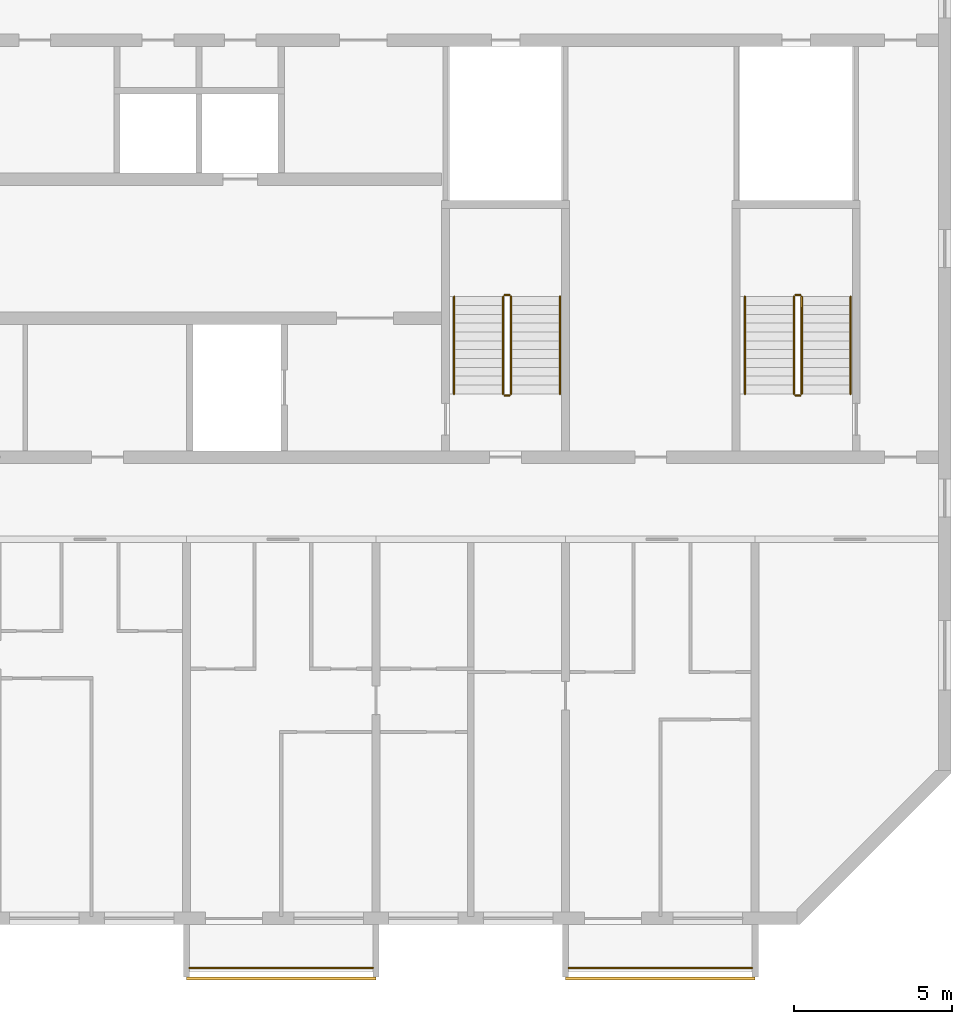
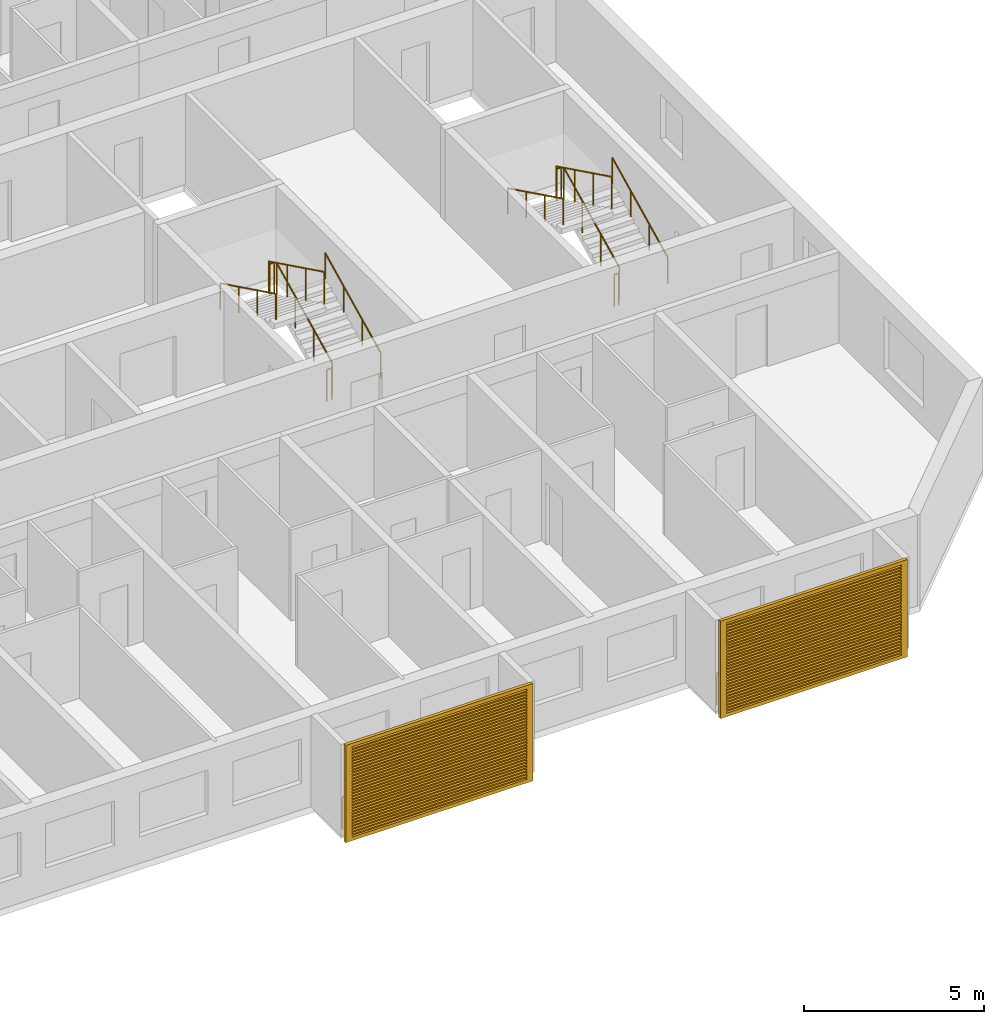
# One storey, part 14 of 28: 14 railings, 2 shading devices.
"""IFC4 building model written with IfcOpenShell, lengths in metres."""

from ifc_helpers import new_model, si_unit, direction, frame, origin, origin_2d, place, context, subcontext, project, spatial, polyline, circle, outline, extrude, source, transform, mapped, material, material_profile, profile_set, type_object, element, save


model = new_model("IFC4")

# Units and contexts
model_context = context("Model", 3, precision=1e-05, world=origin(), true_north=direction((0.0, 1.0)))
body_context = subcontext(model_context, "Body", "Model", "MODEL_VIEW")
ifc_project = project(units=[si_unit("LENGTHUNIT", "METRE"), si_unit("AREAUNIT", "SQUARE_METRE"), si_unit("VOLUMEUNIT", "CUBIC_METRE"), si_unit("PLANEANGLEUNIT", "RADIAN"), si_unit("MASSUNIT", "GRAM", prefix="KILO")], contexts=[model_context])

# Site, building, storey
site_placement = place(None, origin())
site = spatial("IfcSite", under=ifc_project, at=site_placement, CompositionType="ELEMENT")
building_placement = place(site_placement, origin())
building = spatial("IfcBuilding", under=site, at=building_placement, Name="Poui Terraces", CompositionType="ELEMENT")
storey_placement = place(building_placement, frame((0.0, 0.0, 188.39990234375)))
storey = spatial("IfcBuildingStorey", under=building, at=storey_placement, Name="L52", CompositionType="ELEMENT", Elevation=188.39990234375)

# Railings
ifc_material_1 = material(Name="Painted steel fretwork", Category="steel")
railing_type_1 = type_object("IfcRailingType", Name="BALCONY GUARD 1100", PredefinedType="GUARDRAIL", material=ifc_material_1)
for number, where, name in (
    (1, (60.10009765625, -1.570068359375, 0.0), "BALCONY GUARD"),
    (2, (72.10009765625, -1.570068359375, 0.0), "BALCONY GUARD"),
):
    element("IfcRailing", number, at=place(storey_placement, frame(where)), inside=storey, type_object=railing_type_1, Name=name, PredefinedType="GUARDRAIL", context=body_context, shape_type="SweptSolid", body=[
        extrude(circle(Radius=0.02392578125, at=origin_2d()), frame((0.0, 0.0, 1.076171875), z_axis=(1.0, 0.0, 0.0), x_axis=(0.0, 1.0, 0.0)), (0.0, 0.0, 1.0), 5.7998046875),
        extrude(circle(Radius=0.02099609375, at=origin_2d()), origin(), (0.0, 0.0, 1.0), 1.052001953125),
        extrude(circle(Radius=0.02099609375, at=origin_2d()), frame((0.966552734375, 0.0, 0.0)), (0.0, 0.0, 1.0), 1.052001953125),
        extrude(circle(Radius=0.02099609375, at=origin_2d()), frame((1.933349609375, 0.0, 0.0)), (0.0, 0.0, 1.0), 1.052001953125),
        extrude(circle(Radius=0.02099609375, at=origin_2d()), frame((2.89990234375, 0.0, 0.0)), (0.0, 0.0, 1.0), 1.052001953125),
        extrude(circle(Radius=0.02099609375, at=origin_2d()), frame((3.866455078125, 0.0, 0.0)), (0.0, 0.0, 1.0), 1.052001953125),
        extrude(circle(Radius=0.02099609375, at=origin_2d()), frame((4.833251953125, 0.0, 0.0)), (0.0, 0.0, 1.0), 1.052001953125),
        extrude(circle(Radius=0.02099609375, at=origin_2d()), frame((5.7998046875, 0.0, 0.0)), (0.0, 0.0, 1.0), 1.052001953125),
    ])
ifc_material_2 = material(Name="Galvanised steel balustrade", Category="steel")
railing_type_2 = type_object("IfcRailingType", Name="STAIR GUARD 1100", PredefinedType="GUARDRAIL", material=ifc_material_2)
railing_1_placement = place(storey_placement, frame((70.27490234375, 16.60009765625, 0.1376953125)))
element("IfcRailing", 3, at=railing_1_placement, inside=storey, type_object=railing_type_2, Name="L52 ST-CE stair guard 1", PredefinedType="GUARDRAIL", context=body_context, shape_type="SweptSolid", body=[
    extrude(circle(Radius=0.02392578125, at=origin_2d()), frame((0.0, 0.0, 1.076171875), z_axis=(0.0, 0.897606190399, 0.440798283751), x_axis=(-1.0, 0.0, 0.0)), (0.0, 0.0, 1.0), 3.43115234375),
    extrude(circle(Radius=0.02099609375, at=origin_2d()), origin(), (0.0, 0.0, 1.0), 1.052001953125),
    extrude(circle(Radius=0.02099609375, at=origin_2d()), frame((0.0, 1.026611328125, 0.504150390625)), (0.0, 0.0, 1.0), 1.052001953125),
    extrude(circle(Radius=0.02099609375, at=origin_2d()), frame((0.0, 2.05322265625, 1.00830078125)), (0.0, 0.0, 1.0), 1.052001953125),
    extrude(circle(Radius=0.02099609375, at=origin_2d()), frame((0.0, 3.079833984375, 1.512451171875)), (0.0, 0.0, 1.0), 1.052001953125),
])
railing_2_placement = place(storey_placement, frame((70.22509765625, 19.72998046875, 1.650146484375)))
element("IfcRailing", 4, at=railing_2_placement, inside=storey, type_object=railing_type_2, Name="L52 ST-CE stair guard 2", PredefinedType="GUARDRAIL", context=body_context, shape_type="SweptSolid", body=[
    extrude(circle(Radius=0.02392578125, at=origin_2d()), frame((0.0, 0.0, 1.076171875), z_axis=(-1.0, 0.0, 0.0), x_axis=(0.0, -1.0, 0.0)), (0.0, 0.0, 1.0), 0.150146484375),
    extrude(circle(Radius=0.02099609375, at=origin_2d()), origin(), (0.0, 0.0, 1.0), 1.052001953125),
    extrude(circle(Radius=0.02099609375, at=origin_2d()), frame((-0.150146484375, 0.0, 0.0)), (0.0, 0.0, 1.0), 1.052001953125),
])
railing_3_placement = place(storey_placement, frame((70.02490234375, 19.679931640625, 1.78759765625)))
element("IfcRailing", 5, at=railing_3_placement, inside=storey, type_object=railing_type_2, Name="L52 ST-CE stair guard 3", PredefinedType="GUARDRAIL", context=body_context, shape_type="SweptSolid", body=[
    extrude(circle(Radius=0.02392578125, at=origin_2d()), frame((0.0, 0.0, 1.076171875), z_axis=(0.0, -0.897606190399, 0.440798283751), x_axis=(1.0, 0.0, 0.0)), (0.0, 0.0, 1.0), 3.43115234375),
    extrude(circle(Radius=0.02099609375, at=origin_2d()), origin(), (0.0, 0.0, 1.0), 1.052001953125),
    extrude(circle(Radius=0.02099609375, at=origin_2d()), frame((0.0, -1.026611328125, 0.504150390625)), (0.0, 0.0, 1.0), 1.052001953125),
    extrude(circle(Radius=0.02099609375, at=origin_2d()), frame((0.0, -2.05322265625, 1.00830078125)), (0.0, 0.0, 1.0), 1.052001953125),
    extrude(circle(Radius=0.02099609375, at=origin_2d()), frame((0.0, -3.079833984375, 1.512451171875)), (0.0, 0.0, 1.0), 1.052001953125),
])
railing_4_placement = place(storey_placement, frame((70.22509765625, 16.550048828125, 0.0)))
element("IfcRailing", 6, at=railing_4_placement, inside=storey, type_object=railing_type_2, Name="L52 ST-CE stair guard 4", PredefinedType="GUARDRAIL", context=body_context, shape_type="SweptSolid", body=[
    extrude(circle(Radius=0.02392578125, at=origin_2d()), frame((0.0, 0.0, 1.076171875), z_axis=(-1.0, 0.0, 0.0), x_axis=(0.0, -1.0, 0.0)), (0.0, 0.0, 1.0), 0.150146484375),
    extrude(circle(Radius=0.02099609375, at=origin_2d()), origin(), (0.0, 0.0, 1.0), 1.052001953125),
    extrude(circle(Radius=0.02099609375, at=origin_2d()), frame((-0.150146484375, 0.0, 0.0)), (0.0, 0.0, 1.0), 1.052001953125),
])
railing_5_placement = place(storey_placement, frame((79.47509765625, 16.60009765625, 0.1376953125)))
element("IfcRailing", 7, at=railing_5_placement, inside=storey, type_object=railing_type_2, Name="L52 ST-E stair guard 1", PredefinedType="GUARDRAIL", context=body_context, shape_type="SweptSolid", body=[
    extrude(circle(Radius=0.02392578125, at=origin_2d()), frame((0.0, 0.0, 1.076171875), z_axis=(0.0, 0.897606190399, 0.440798283751), x_axis=(-1.0, 0.0, 0.0)), (0.0, 0.0, 1.0), 3.43115234375),
    extrude(circle(Radius=0.02099609375, at=origin_2d()), origin(), (0.0, 0.0, 1.0), 1.052001953125),
    extrude(circle(Radius=0.02099609375, at=origin_2d()), frame((0.0, 1.026611328125, 0.504150390625)), (0.0, 0.0, 1.0), 1.052001953125),
    extrude(circle(Radius=0.02099609375, at=origin_2d()), frame((0.0, 2.05322265625, 1.00830078125)), (0.0, 0.0, 1.0), 1.052001953125),
    extrude(circle(Radius=0.02099609375, at=origin_2d()), frame((0.0, 3.079833984375, 1.512451171875)), (0.0, 0.0, 1.0), 1.052001953125),
])
railing_6_placement = place(storey_placement, frame((79.425048828125, 19.72998046875, 1.650146484375)))
element("IfcRailing", 8, at=railing_6_placement, inside=storey, type_object=railing_type_2, Name="L52 ST-E stair guard 2", PredefinedType="GUARDRAIL", context=body_context, shape_type="SweptSolid", body=[
    extrude(circle(Radius=0.02392578125, at=origin_2d()), frame((0.0, 0.0, 1.076171875), z_axis=(-1.0, 0.0, 0.0), x_axis=(0.0, -1.0, 0.0)), (0.0, 0.0, 1.0), 0.150146484375),
    extrude(circle(Radius=0.02099609375, at=origin_2d()), origin(), (0.0, 0.0, 1.0), 1.052001953125),
    extrude(circle(Radius=0.02099609375, at=origin_2d()), frame((-0.150146484375, 0.0, 0.0)), (0.0, 0.0, 1.0), 1.052001953125),
])
railing_7_placement = place(storey_placement, frame((79.22509765625, 19.679931640625, 1.78759765625)))
element("IfcRailing", 9, at=railing_7_placement, inside=storey, type_object=railing_type_2, Name="L52 ST-E stair guard 3", PredefinedType="GUARDRAIL", context=body_context, shape_type="SweptSolid", body=[
    extrude(circle(Radius=0.02392578125, at=origin_2d()), frame((0.0, 0.0, 1.076171875), z_axis=(0.0, -0.897606190399, 0.440798283751), x_axis=(1.0, 0.0, 0.0)), (0.0, 0.0, 1.0), 3.43115234375),
    extrude(circle(Radius=0.02099609375, at=origin_2d()), origin(), (0.0, 0.0, 1.0), 1.052001953125),
    extrude(circle(Radius=0.02099609375, at=origin_2d()), frame((0.0, -1.026611328125, 0.504150390625)), (0.0, 0.0, 1.0), 1.052001953125),
    extrude(circle(Radius=0.02099609375, at=origin_2d()), frame((0.0, -2.05322265625, 1.00830078125)), (0.0, 0.0, 1.0), 1.052001953125),
    extrude(circle(Radius=0.02099609375, at=origin_2d()), frame((0.0, -3.079833984375, 1.512451171875)), (0.0, 0.0, 1.0), 1.052001953125),
])
railing_8_placement = place(storey_placement, frame((79.425048828125, 16.550048828125, 0.0)))
element("IfcRailing", 10, at=railing_8_placement, inside=storey, type_object=railing_type_2, Name="L52 ST-E stair guard 4", PredefinedType="GUARDRAIL", context=body_context, shape_type="SweptSolid", body=[
    extrude(circle(Radius=0.02392578125, at=origin_2d()), frame((0.0, 0.0, 1.076171875), z_axis=(-1.0, 0.0, 0.0), x_axis=(0.0, -1.0, 0.0)), (0.0, 0.0, 1.0), 0.150146484375),
    extrude(circle(Radius=0.02099609375, at=origin_2d()), origin(), (0.0, 0.0, 1.0), 1.052001953125),
    extrude(circle(Radius=0.02099609375, at=origin_2d()), frame((-0.150146484375, 0.0, 0.0)), (0.0, 0.0, 1.0), 1.052001953125),
])
ifc_material_3 = material(Name="Stainless steel handrail", Category="steel")
railing_type_3 = type_object("IfcRailingType", Name="STAIR HANDRAIL 900", PredefinedType="HANDRAIL", material=ifc_material_3)
railing_9_placement = place(storey_placement, frame((71.824951171875, 16.60009765625, 0.1376953125)))
element("IfcRailing", 11, at=railing_9_placement, inside=storey, type_object=railing_type_3, Name="L52 ST-CE stair handrail 1", PredefinedType="HANDRAIL", context=body_context, shape_type="SweptSolid", body=[
    extrude(circle(Radius=0.02392578125, at=origin_2d()), frame((0.0, 0.0, 0.8759765625), z_axis=(0.0, 0.897606190399, 0.440798283751), x_axis=(-1.0, 0.0, 0.0)), (0.0, 0.0, 1.0), 3.43115234375),
    extrude(circle(Radius=0.02099609375, at=origin_2d()), origin(), (0.0, 0.0, 1.0), 0.851806640625),
    extrude(circle(Radius=0.02099609375, at=origin_2d()), frame((0.0, 1.026611328125, 0.504150390625)), (0.0, 0.0, 1.0), 0.851806640625),
    extrude(circle(Radius=0.02099609375, at=origin_2d()), frame((0.0, 2.05322265625, 1.00830078125)), (0.0, 0.0, 1.0), 0.851806640625),
    extrude(circle(Radius=0.02099609375, at=origin_2d()), frame((0.0, 3.079833984375, 1.512451171875)), (0.0, 0.0, 1.0), 0.851806640625),
])
railing_10_placement = place(storey_placement, frame((68.47509765625, 19.679931640625, 1.78759765625)))
element("IfcRailing", 12, at=railing_10_placement, inside=storey, type_object=railing_type_3, Name="L52 ST-CE stair handrail 2", PredefinedType="HANDRAIL", context=body_context, shape_type="SweptSolid", body=[
    extrude(circle(Radius=0.02392578125, at=origin_2d()), frame((0.0, 0.0, 0.8759765625), z_axis=(0.0, -0.897606190399, 0.440798283751), x_axis=(1.0, 0.0, 0.0)), (0.0, 0.0, 1.0), 3.43115234375),
    extrude(circle(Radius=0.02099609375, at=origin_2d()), origin(), (0.0, 0.0, 1.0), 0.851806640625),
    extrude(circle(Radius=0.02099609375, at=origin_2d()), frame((0.0, -1.026611328125, 0.504150390625)), (0.0, 0.0, 1.0), 0.851806640625),
    extrude(circle(Radius=0.02099609375, at=origin_2d()), frame((0.0, -2.05322265625, 1.00830078125)), (0.0, 0.0, 1.0), 0.851806640625),
    extrude(circle(Radius=0.02099609375, at=origin_2d()), frame((0.0, -3.079833984375, 1.512451171875)), (0.0, 0.0, 1.0), 0.851806640625),
])
railing_11_placement = place(storey_placement, frame((81.02490234375, 16.60009765625, 0.1376953125)))
element("IfcRailing", 13, at=railing_11_placement, inside=storey, type_object=railing_type_3, Name="L52 ST-E stair handrail 1", PredefinedType="HANDRAIL", context=body_context, shape_type="SweptSolid", body=[
    extrude(circle(Radius=0.02392578125, at=origin_2d()), frame((0.0, 0.0, 0.8759765625), z_axis=(0.0, 0.897606190399, 0.440798283751), x_axis=(-1.0, 0.0, 0.0)), (0.0, 0.0, 1.0), 3.43115234375),
    extrude(circle(Radius=0.02099609375, at=origin_2d()), origin(), (0.0, 0.0, 1.0), 0.851806640625),
    extrude(circle(Radius=0.02099609375, at=origin_2d()), frame((0.0, 1.026611328125, 0.504150390625)), (0.0, 0.0, 1.0), 0.851806640625),
    extrude(circle(Radius=0.02099609375, at=origin_2d()), frame((0.0, 2.05322265625, 1.00830078125)), (0.0, 0.0, 1.0), 0.851806640625),
    extrude(circle(Radius=0.02099609375, at=origin_2d()), frame((0.0, 3.079833984375, 1.512451171875)), (0.0, 0.0, 1.0), 0.851806640625),
])
railing_12_placement = place(storey_placement, frame((77.675048828125, 19.679931640625, 1.78759765625)))
element("IfcRailing", 14, at=railing_12_placement, inside=storey, type_object=railing_type_3, Name="L52 ST-E stair handrail 2", PredefinedType="HANDRAIL", context=body_context, shape_type="SweptSolid", body=[
    extrude(circle(Radius=0.02392578125, at=origin_2d()), frame((0.0, 0.0, 0.8759765625), z_axis=(0.0, -0.897606190399, 0.440798283751), x_axis=(1.0, 0.0, 0.0)), (0.0, 0.0, 1.0), 3.43115234375),
    extrude(circle(Radius=0.02099609375, at=origin_2d()), origin(), (0.0, 0.0, 1.0), 0.851806640625),
    extrude(circle(Radius=0.02099609375, at=origin_2d()), frame((0.0, -1.026611328125, 0.504150390625)), (0.0, 0.0, 1.0), 0.851806640625),
    extrude(circle(Radius=0.02099609375, at=origin_2d()), frame((0.0, -2.05322265625, 1.00830078125)), (0.0, 0.0, 1.0), 0.851806640625),
    extrude(circle(Radius=0.02099609375, at=origin_2d()), frame((0.0, -3.079833984375, 1.512451171875)), (0.0, 0.0, 1.0), 0.851806640625),
])

# Shading devices
ifc_material_4 = material(Name="Aluminium louvre", Category="aluminium")
ifc_material_profile = material_profile(ifc_material_4, outline(polyline([(-3.0, -1.64990234375), (3.0, -1.64990234375), (3.0, 1.64990234375), (-3.0, 1.64990234375), (-3.0, -1.64990234375)]), holes=[polyline([(-2.800048828125, -1.530029296875), (2.800048828125, -1.530029296875), (2.800048828125, -1.469970703125), (-2.800048828125, -1.469970703125), (-2.800048828125, -1.530029296875)]), polyline([(-2.800048828125, -1.429931640625), (2.800048828125, -1.429931640625), (2.800048828125, -1.3701171875), (-2.800048828125, -1.3701171875), (-2.800048828125, -1.429931640625)]), polyline([(-2.800048828125, -1.330078125), (2.800048828125, -1.330078125), (2.800048828125, -1.27001953125), (-2.800048828125, -1.27001953125), (-2.800048828125, -1.330078125)]), polyline([(-2.800048828125, -1.22998046875), (2.800048828125, -1.22998046875), (2.800048828125, -1.169921875), (-2.800048828125, -1.169921875), (-2.800048828125, -1.22998046875)]), polyline([(-2.800048828125, -1.1298828125), (2.800048828125, -1.1298828125), (2.800048828125, -1.070068359375), (-2.800048828125, -1.070068359375), (-2.800048828125, -1.1298828125)]), polyline([(-2.800048828125, -1.030029296875), (2.800048828125, -1.030029296875), (2.800048828125, -0.969970703125), (-2.800048828125, -0.969970703125), (-2.800048828125, -1.030029296875)]), polyline([(-2.800048828125, -0.929931640625), (2.800048828125, -0.929931640625), (2.800048828125, -0.8701171875), (-2.800048828125, -0.8701171875), (-2.800048828125, -0.929931640625)]), polyline([(-2.800048828125, -0.830078125), (2.800048828125, -0.830078125), (2.800048828125, -0.77001953125), (-2.800048828125, -0.77001953125), (-2.800048828125, -0.830078125)]), polyline([(-2.800048828125, -0.72998046875), (2.800048828125, -0.72998046875), (2.800048828125, -0.669921875), (-2.800048828125, -0.669921875), (-2.800048828125, -0.72998046875)]), polyline([(-2.800048828125, -0.6298828125), (2.800048828125, -0.6298828125), (2.800048828125, -0.570068359375), (-2.800048828125, -0.570068359375), (-2.800048828125, -0.6298828125)]), polyline([(-2.800048828125, -0.530029296875), (2.800048828125, -0.530029296875), (2.800048828125, -0.469970703125), (-2.800048828125, -0.469970703125), (-2.800048828125, -0.530029296875)]), polyline([(-2.800048828125, -0.429931640625), (2.800048828125, -0.429931640625), (2.800048828125, -0.3701171875), (-2.800048828125, -0.3701171875), (-2.800048828125, -0.429931640625)]), polyline([(-2.800048828125, -0.330078125), (2.800048828125, -0.330078125), (2.800048828125, -0.27001953125), (-2.800048828125, -0.27001953125), (-2.800048828125, -0.330078125)]), polyline([(-2.800048828125, -0.22998046875), (2.800048828125, -0.22998046875), (2.800048828125, -0.169921875), (-2.800048828125, -0.169921875), (-2.800048828125, -0.22998046875)]), polyline([(-2.800048828125, -0.1298828125), (2.800048828125, -0.1298828125), (2.800048828125, -0.070068359375), (-2.800048828125, -0.070068359375), (-2.800048828125, -0.1298828125)]), polyline([(-2.800048828125, -0.030029296875), (2.800048828125, -0.030029296875), (2.800048828125, 0.030029296875), (-2.800048828125, 0.030029296875), (-2.800048828125, -0.030029296875)]), polyline([(-2.800048828125, 0.070068359375), (2.800048828125, 0.070068359375), (2.800048828125, 0.1298828125), (-2.800048828125, 0.1298828125), (-2.800048828125, 0.070068359375)]), polyline([(-2.800048828125, 0.169921875), (2.800048828125, 0.169921875), (2.800048828125, 0.22998046875), (-2.800048828125, 0.22998046875), (-2.800048828125, 0.169921875)]), polyline([(-2.800048828125, 0.27001953125), (2.800048828125, 0.27001953125), (2.800048828125, 0.330078125), (-2.800048828125, 0.330078125), (-2.800048828125, 0.27001953125)]), polyline([(-2.800048828125, 0.3701171875), (2.800048828125, 0.3701171875), (2.800048828125, 0.429931640625), (-2.800048828125, 0.429931640625), (-2.800048828125, 0.3701171875)]), polyline([(-2.800048828125, 0.469970703125), (2.800048828125, 0.469970703125), (2.800048828125, 0.530029296875), (-2.800048828125, 0.530029296875), (-2.800048828125, 0.469970703125)]), polyline([(-2.800048828125, 0.570068359375), (2.800048828125, 0.570068359375), (2.800048828125, 0.6298828125), (-2.800048828125, 0.6298828125), (-2.800048828125, 0.570068359375)]), polyline([(-2.800048828125, 0.669921875), (2.800048828125, 0.669921875), (2.800048828125, 0.72998046875), (-2.800048828125, 0.72998046875), (-2.800048828125, 0.669921875)]), polyline([(-2.800048828125, 0.77001953125), (2.800048828125, 0.77001953125), (2.800048828125, 0.830078125), (-2.800048828125, 0.830078125), (-2.800048828125, 0.77001953125)]), polyline([(-2.800048828125, 0.8701171875), (2.800048828125, 0.8701171875), (2.800048828125, 0.929931640625), (-2.800048828125, 0.929931640625), (-2.800048828125, 0.8701171875)]), polyline([(-2.800048828125, 0.969970703125), (2.800048828125, 0.969970703125), (2.800048828125, 1.030029296875), (-2.800048828125, 1.030029296875), (-2.800048828125, 0.969970703125)]), polyline([(-2.800048828125, 1.070068359375), (2.800048828125, 1.070068359375), (2.800048828125, 1.1298828125), (-2.800048828125, 1.1298828125), (-2.800048828125, 1.070068359375)]), polyline([(-2.800048828125, 1.169921875), (2.800048828125, 1.169921875), (2.800048828125, 1.22998046875), (-2.800048828125, 1.22998046875), (-2.800048828125, 1.169921875)]), polyline([(-2.800048828125, 1.27001953125), (2.800048828125, 1.27001953125), (2.800048828125, 1.330078125), (-2.800048828125, 1.330078125), (-2.800048828125, 1.27001953125)]), polyline([(-2.800048828125, 1.3701171875), (2.800048828125, 1.3701171875), (2.800048828125, 1.429931640625), (-2.800048828125, 1.429931640625), (-2.800048828125, 1.3701171875)]), polyline([(-2.800048828125, 1.469970703125), (2.800048828125, 1.469970703125), (2.800048828125, 1.530029296875), (-2.800048828125, 1.530029296875), (-2.800048828125, 1.469970703125)])]), Name="JALOUSIE LOUVRE SHUTTER 6000X3300")
ifc_profile_set = profile_set([ifc_material_profile], Name="Aluminium louvre")
shading_device_type = type_object("IfcShadingDeviceType", Name="JALOUSIE LOUVRE SHUTTER 6000X3300", PredefinedType="JALOUSIE", material=ifc_profile_set)
shared_shape = source(origin(), body_context, "Body", "SweptSolid", [
    extrude(outline(polyline([(-3.0, -1.64990234375), (3.0, -1.64990234375), (3.0, 1.64990234375), (-3.0, 1.64990234375), (-3.0, -1.64990234375)]), holes=[polyline([(-2.800048828125, -1.530029296875), (2.800048828125, -1.530029296875), (2.800048828125, -1.469970703125), (-2.800048828125, -1.469970703125), (-2.800048828125, -1.530029296875)]), polyline([(-2.800048828125, -1.429931640625), (2.800048828125, -1.429931640625), (2.800048828125, -1.3701171875), (-2.800048828125, -1.3701171875), (-2.800048828125, -1.429931640625)]), polyline([(-2.800048828125, -1.330078125), (2.800048828125, -1.330078125), (2.800048828125, -1.27001953125), (-2.800048828125, -1.27001953125), (-2.800048828125, -1.330078125)]), polyline([(-2.800048828125, -1.22998046875), (2.800048828125, -1.22998046875), (2.800048828125, -1.169921875), (-2.800048828125, -1.169921875), (-2.800048828125, -1.22998046875)]), polyline([(-2.800048828125, -1.1298828125), (2.800048828125, -1.1298828125), (2.800048828125, -1.070068359375), (-2.800048828125, -1.070068359375), (-2.800048828125, -1.1298828125)]), polyline([(-2.800048828125, -1.030029296875), (2.800048828125, -1.030029296875), (2.800048828125, -0.969970703125), (-2.800048828125, -0.969970703125), (-2.800048828125, -1.030029296875)]), polyline([(-2.800048828125, -0.929931640625), (2.800048828125, -0.929931640625), (2.800048828125, -0.8701171875), (-2.800048828125, -0.8701171875), (-2.800048828125, -0.929931640625)]), polyline([(-2.800048828125, -0.830078125), (2.800048828125, -0.830078125), (2.800048828125, -0.77001953125), (-2.800048828125, -0.77001953125), (-2.800048828125, -0.830078125)]), polyline([(-2.800048828125, -0.72998046875), (2.800048828125, -0.72998046875), (2.800048828125, -0.669921875), (-2.800048828125, -0.669921875), (-2.800048828125, -0.72998046875)]), polyline([(-2.800048828125, -0.6298828125), (2.800048828125, -0.6298828125), (2.800048828125, -0.570068359375), (-2.800048828125, -0.570068359375), (-2.800048828125, -0.6298828125)]), polyline([(-2.800048828125, -0.530029296875), (2.800048828125, -0.530029296875), (2.800048828125, -0.469970703125), (-2.800048828125, -0.469970703125), (-2.800048828125, -0.530029296875)]), polyline([(-2.800048828125, -0.429931640625), (2.800048828125, -0.429931640625), (2.800048828125, -0.3701171875), (-2.800048828125, -0.3701171875), (-2.800048828125, -0.429931640625)]), polyline([(-2.800048828125, -0.330078125), (2.800048828125, -0.330078125), (2.800048828125, -0.27001953125), (-2.800048828125, -0.27001953125), (-2.800048828125, -0.330078125)]), polyline([(-2.800048828125, -0.22998046875), (2.800048828125, -0.22998046875), (2.800048828125, -0.169921875), (-2.800048828125, -0.169921875), (-2.800048828125, -0.22998046875)]), polyline([(-2.800048828125, -0.1298828125), (2.800048828125, -0.1298828125), (2.800048828125, -0.070068359375), (-2.800048828125, -0.070068359375), (-2.800048828125, -0.1298828125)]), polyline([(-2.800048828125, -0.030029296875), (2.800048828125, -0.030029296875), (2.800048828125, 0.030029296875), (-2.800048828125, 0.030029296875), (-2.800048828125, -0.030029296875)]), polyline([(-2.800048828125, 0.070068359375), (2.800048828125, 0.070068359375), (2.800048828125, 0.1298828125), (-2.800048828125, 0.1298828125), (-2.800048828125, 0.070068359375)]), polyline([(-2.800048828125, 0.169921875), (2.800048828125, 0.169921875), (2.800048828125, 0.22998046875), (-2.800048828125, 0.22998046875), (-2.800048828125, 0.169921875)]), polyline([(-2.800048828125, 0.27001953125), (2.800048828125, 0.27001953125), (2.800048828125, 0.330078125), (-2.800048828125, 0.330078125), (-2.800048828125, 0.27001953125)]), polyline([(-2.800048828125, 0.3701171875), (2.800048828125, 0.3701171875), (2.800048828125, 0.429931640625), (-2.800048828125, 0.429931640625), (-2.800048828125, 0.3701171875)]), polyline([(-2.800048828125, 0.469970703125), (2.800048828125, 0.469970703125), (2.800048828125, 0.530029296875), (-2.800048828125, 0.530029296875), (-2.800048828125, 0.469970703125)]), polyline([(-2.800048828125, 0.570068359375), (2.800048828125, 0.570068359375), (2.800048828125, 0.6298828125), (-2.800048828125, 0.6298828125), (-2.800048828125, 0.570068359375)]), polyline([(-2.800048828125, 0.669921875), (2.800048828125, 0.669921875), (2.800048828125, 0.72998046875), (-2.800048828125, 0.72998046875), (-2.800048828125, 0.669921875)]), polyline([(-2.800048828125, 0.77001953125), (2.800048828125, 0.77001953125), (2.800048828125, 0.830078125), (-2.800048828125, 0.830078125), (-2.800048828125, 0.77001953125)]), polyline([(-2.800048828125, 0.8701171875), (2.800048828125, 0.8701171875), (2.800048828125, 0.929931640625), (-2.800048828125, 0.929931640625), (-2.800048828125, 0.8701171875)]), polyline([(-2.800048828125, 0.969970703125), (2.800048828125, 0.969970703125), (2.800048828125, 1.030029296875), (-2.800048828125, 1.030029296875), (-2.800048828125, 0.969970703125)]), polyline([(-2.800048828125, 1.070068359375), (2.800048828125, 1.070068359375), (2.800048828125, 1.1298828125), (-2.800048828125, 1.1298828125), (-2.800048828125, 1.070068359375)]), polyline([(-2.800048828125, 1.169921875), (2.800048828125, 1.169921875), (2.800048828125, 1.22998046875), (-2.800048828125, 1.22998046875), (-2.800048828125, 1.169921875)]), polyline([(-2.800048828125, 1.27001953125), (2.800048828125, 1.27001953125), (2.800048828125, 1.330078125), (-2.800048828125, 1.330078125), (-2.800048828125, 1.27001953125)]), polyline([(-2.800048828125, 1.3701171875), (2.800048828125, 1.3701171875), (2.800048828125, 1.429931640625), (-2.800048828125, 1.429931640625), (-2.800048828125, 1.3701171875)]), polyline([(-2.800048828125, 1.469970703125), (2.800048828125, 1.469970703125), (2.800048828125, 1.530029296875), (-2.800048828125, 1.530029296875), (-2.800048828125, 1.469970703125)])]), origin(), (0.0, 0.0, 1.0), 0.099853515625),
])
for number, where, z_axis, x_axis, name in (
    (15, (63.0, -1.85009765625, 1.4501953125), (0.0, -1.0, 0.0), (1.0, 0.0, 0.0), "JALOUSIE LOUVRE SHUTTER"),
    (16, (75.0, -1.85009765625, 1.4501953125), (0.0, -1.0, 0.0), (1.0, 0.0, 0.0), "JALOUSIE LOUVRE SHUTTER"),
):
    element("IfcShadingDevice", number, at=place(storey_placement, frame(where, z_axis=z_axis, x_axis=x_axis)), inside=storey, type_object=shading_device_type, Name=name, PredefinedType="JALOUSIE", context=body_context, shape_type="MappedRepresentation", body=[
        mapped(shared_shape, transform((0.0, 0.0, 0.0))),
    ])

save(model, "model.ifc")
